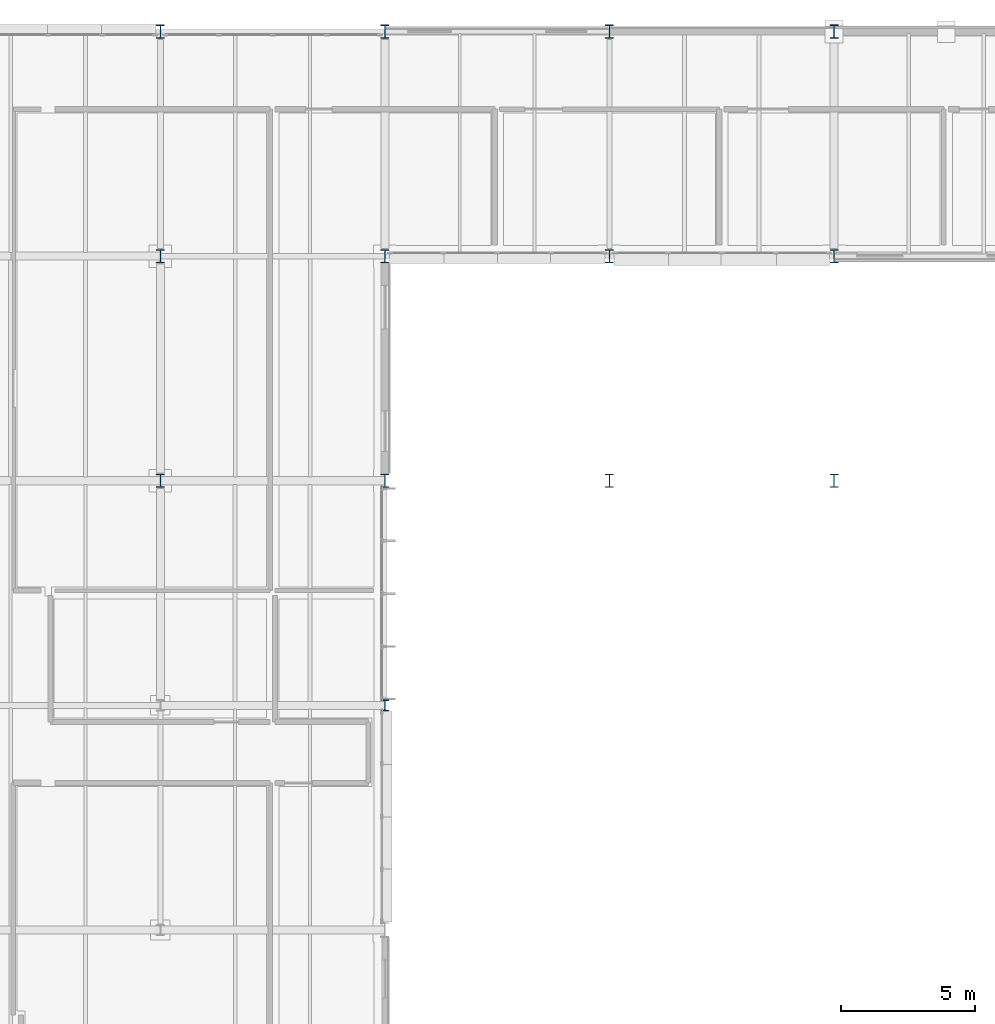
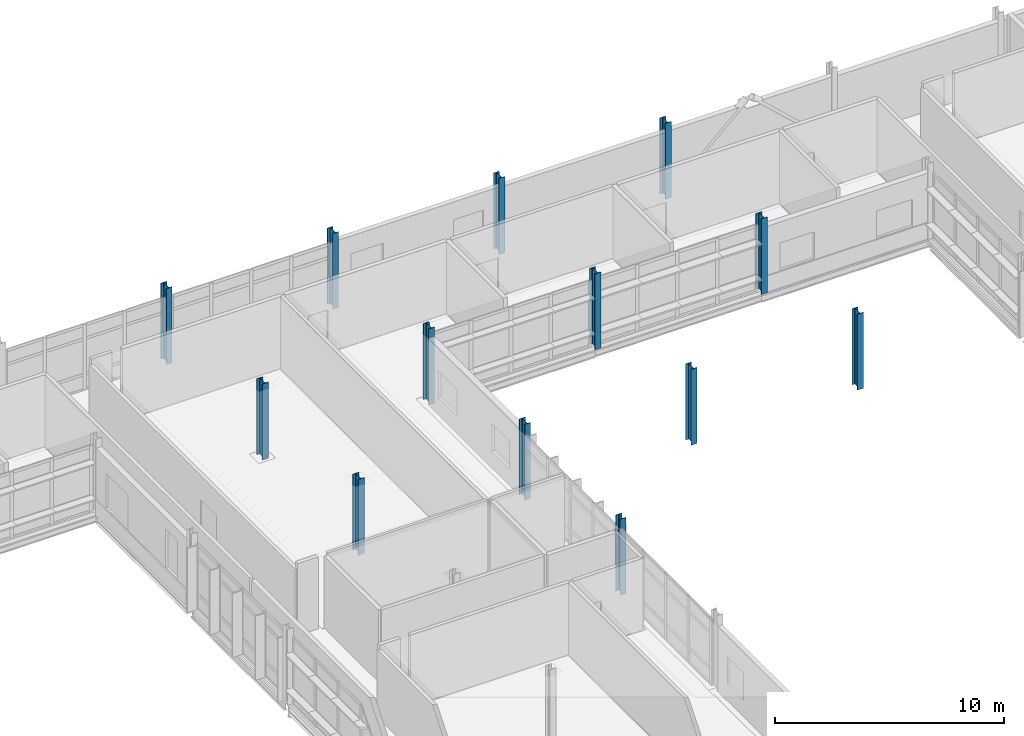
# One storey, part 10 of 151: 13 columns.
"""IFC4 building model written with IfcOpenShell, lengths in metres."""

import ifcopenshell
import ifcopenshell.guid

model = None  # the IFC model being written
_history = None  # IfcOwnerHistory: only IFC2X3 demands one
_inside = {}  # id of a spatial element -> (the spatial element, [elements in it])
_under = {}  # id of a project, library or spatial element -> (it, [spatial elements below it])
_declared = {}  # id of a project -> (the project, [libraries it declares])
_typed = {}  # id of a type object -> (the type object, [elements of that type])
_made_of = {}  # id of a material, layer set ... -> (it, [elements and type objects made of it])


def new_model(schema):
    """Start an empty IFC model of exactly this schema.

    Asked for "IFC4X3", IfcOpenShell would pick the latest addendum, in which some entities
    have other attributes; the version numbers below select the first issue.
    IFC2X3 requires an IfcOwnerHistory on every rooted entity: one is made here for all.
    """
    global model, _history
    if schema == "IFC4X3":
        model = ifcopenshell.file(schema_version=(4, 3, 0, 0))
    else:
        model = ifcopenshell.file(schema=schema)
    _inside.clear()
    _under.clear()
    _declared.clear()
    _typed.clear()
    _made_of.clear()
    _history = None
    if model.schema == "IFC2X3":
        org = make("IfcOrganization", Name="unknown")
        user = make(
            "IfcPersonAndOrganization",
            ThePerson=make("IfcPerson", FamilyName="unknown"),
            TheOrganization=org,
        )
        app = make(
            "IfcApplication",
            ApplicationDeveloper=org,
            Version="unknown",
            ApplicationFullName="unknown",
            ApplicationIdentifier="unknown",
        )
        _history = make(
            "IfcOwnerHistory",
            OwningUser=user,
            OwningApplication=app,
            ChangeAction="ADDED",
            CreationDate=0,
        )
    return model


def make(cls, **values):
    """One entity of the class cls with the attributes given. An attribute that is None is left unset."""
    return model.create_entity(
        cls, **{name: value for name, value in values.items() if value is not None}
    )


def rooted(cls, **values):
    """An entity with a GlobalId (a new one), such as an element, a storey or a relation."""
    return make(cls, GlobalId=ifcopenshell.guid.new(), OwnerHistory=_history, **values)


def si_unit(unit_type, name, prefix=None):
    """IfcSIUnit, for example si_unit("LENGTHUNIT", "METRE", prefix="MILLI")."""
    return make("IfcSIUnit", UnitType=unit_type, Prefix=prefix, Name=name)


def assignment(units):
    """IfcUnitAssignment: the units of a project."""
    return None if units is None else make("IfcUnitAssignment", Units=units)


def point(xyz):
    """IfcCartesianPoint."""
    return None if xyz is None else make("IfcCartesianPoint", Coordinates=xyz)


def direction(xyz):
    """IfcDirection."""
    return None if xyz is None else make("IfcDirection", DirectionRatios=xyz)


def frame(location, z_axis=None, x_axis=None):
    """IfcAxis2Placement3D, a coordinate frame: its origin and axes. An axis left out is left unset."""
    return make(
        "IfcAxis2Placement3D",
        Location=point(location),
        Axis=direction(z_axis),
        RefDirection=direction(x_axis),
    )


def frame_2d(location, x_axis=None):
    """IfcAxis2Placement2D, a coordinate frame in the plane: its origin and x axis."""
    return make(
        "IfcAxis2Placement2D", Location=point(location), RefDirection=direction(x_axis)
    )


def origin():
    """The frame at (0, 0, 0) with its axes left unset."""
    return frame((0.0, 0.0, 0.0))


def origin_2d():
    """The frame at (0, 0) in the plane with its x axis left unset."""
    return frame_2d((0.0, 0.0))


def place(relative_to, where):
    """IfcLocalPlacement: puts the frame where relative to a parent placement (None: the world)."""
    return make(
        "IfcLocalPlacement", PlacementRelTo=relative_to, RelativePlacement=where
    )


def context(
    kind, dimensions, precision=None, world=None, true_north=None, identifier=None
):
    """IfcGeometricRepresentationContext, for example the 3D "Model" context."""
    return make(
        "IfcGeometricRepresentationContext",
        ContextIdentifier=identifier,
        ContextType=kind,
        CoordinateSpaceDimension=dimensions,
        Precision=precision,
        WorldCoordinateSystem=world,
        TrueNorth=true_north,
    )


def subcontext(parent, identifier, kind, view, scale=None):
    """IfcGeometricRepresentationSubContext, for example "Body" below "Model"."""
    return make(
        "IfcGeometricRepresentationSubContext",
        ContextIdentifier=identifier,
        ContextType=kind,
        ParentContext=parent,
        TargetScale=scale,
        TargetView=view,
    )


def project(units=None, contexts=None):
    """IfcProject with its units and contexts."""
    return rooted(
        "IfcProject",
        Name="project",
        RepresentationContexts=contexts,
        UnitsInContext=assignment(units),
    )


def spatial(cls, under=None, at=None, **own):
    """A site, building, storey or space (cls), placed at a placement, below another one or the project."""
    s = rooted(cls, ObjectPlacement=at, **own)
    if under is not None:
        _under.setdefault(under.id(), (under, []))[1].append(s)
    return s


def profile(cls, at=None, kind="AREA", **sizes):
    """A parametric profile (cls). Its sizes go by their IFC names, for example OverallWidth=200.0."""
    return make(cls, ProfileType=kind, Position=at, **sizes)


def i_section(**sizes):
    """IfcIShapeProfileDef."""
    return profile("IfcIShapeProfileDef", **sizes)


def extrude(swept, where, along, depth):
    """IfcExtrudedAreaSolid: the profile swept, set in the frame where, extruded along a direction by depth."""
    return make(
        "IfcExtrudedAreaSolid",
        SweptArea=swept,
        Position=where,
        ExtrudedDirection=direction(along),
        Depth=depth,
    )


def shape(context_of_items, identifier, shape_type, items):
    """IfcShapeRepresentation: the items that make up one representation, for example the "Body"."""
    return make(
        "IfcShapeRepresentation",
        ContextOfItems=context_of_items,
        RepresentationIdentifier=identifier,
        RepresentationType=shape_type,
        Items=items,
    )


def material(Name=None, Category=None):
    """IfcMaterial."""
    return make("IfcMaterial", Name=Name, Category=Category)


def material_profile(
    of_material, cross_section, Name=None, Category=None, Priority=None
):
    """IfcMaterialProfile: a cross section and its material."""
    return make(
        "IfcMaterialProfile",
        Name=Name,
        Material=of_material,
        Profile=cross_section,
        Priority=Priority,
        Category=Category,
    )


def profile_set(profiles, Name=None, composite=None):
    """IfcMaterialProfileSet."""
    return make(
        "IfcMaterialProfileSet",
        Name=Name,
        MaterialProfiles=profiles,
        CompositeProfile=composite,
    )


def made_of(thing, what):
    """Note that an element or type object is made of a material, layer set ...; save() writes the relation."""
    if what is not None:
        _made_of.setdefault(what.id(), (what, []))[1].append(thing)
    return thing


def type_object(cls, material=None, **own):
    """A type object (cls), such as IfcWallType, which elements share."""
    return made_of(rooted(cls, **own), material)


def element(
    cls,
    number,
    at=None,
    inside=None,
    cuts=None,
    type_object=None,
    material=None,
    context=None,
    identifier="Body",
    shape_type=None,
    held_by="IfcProductDefinitionShape",
    body=None,
    shapes=None,
    **own,
):
    """One element of the class cls, such as IfcWall. Its Tag is "e" and its number.

    at: its placement. inside: the storey or other place that contains it. cuts: it is an
    opening in that element (IfcRelVoidsElement). A single representation is given by context,
    identifier, shape_type and body (its items); several are given by shapes. held_by: the class
    of the entity that holds the representations. save() writes the other relations.
    """
    e = rooted(cls, Tag="e%d" % number, ObjectPlacement=at, **own)
    if body is not None:
        shapes = [shape(context, identifier, shape_type, body)]
    if shapes is not None:
        e.Representation = make(held_by, Representations=shapes)
    if inside is not None:
        _inside.setdefault(inside.id(), (inside, []))[1].append(e)
    if cuts is not None:
        rooted(
            "IfcRelVoidsElement", RelatingBuildingElement=cuts, RelatedOpeningElement=e
        )
    if type_object is not None:
        _typed.setdefault(type_object.id(), (type_object, []))[1].append(e)
    return made_of(e, material)


def aggregate(whole, parts):
    """IfcRelAggregates: a whole, such as a stair, and the parts it consists of."""
    return rooted("IfcRelAggregates", RelatingObject=whole, RelatedObjects=parts)


def save(model, path):
    """Write the relations noted so far, then the file.

    IfcRelAggregates (storeys below a building ...), IfcRelContainedInSpatialStructure (elements
    in a storey), IfcRelDefinesByType, IfcRelAssociatesMaterial and IfcRelDeclares: one each for
    every whole, place, type object, material and project.
    """
    for whole, parts in _under.values():
        aggregate(whole, parts)
    for where, things in _inside.values():
        rooted(
            "IfcRelContainedInSpatialStructure",
            RelatedElements=things,
            RelatingStructure=where,
        )
    for kind, things in _typed.values():
        rooted("IfcRelDefinesByType", RelatedObjects=things, RelatingType=kind)
    for what, things in _made_of.values():
        rooted("IfcRelAssociatesMaterial", RelatedObjects=things, RelatingMaterial=what)
    for by, libraries in _declared.values():
        rooted("IfcRelDeclares", RelatingContext=by, RelatedDefinitions=libraries)
    model.write(path)


model = new_model("IFC4")

# Units and contexts
model_context = context("Model", 3, precision=1e-05, world=origin(), true_north=direction((0.0, 1.0)))
body_context = subcontext(model_context, "Body", "Model", "MODEL_VIEW")
ifc_project = project(units=[si_unit("LENGTHUNIT", "METRE"), si_unit("AREAUNIT", "SQUARE_METRE"), si_unit("VOLUMEUNIT", "CUBIC_METRE"), si_unit("PLANEANGLEUNIT", "RADIAN"), si_unit("MASSUNIT", "GRAM", prefix="KILO")], contexts=[model_context])

# Site, building, storey
site_placement = place(None, origin())
site = spatial("IfcSite", under=ifc_project, at=site_placement, CompositionType="ELEMENT")
building_placement = place(site_placement, origin())
building = spatial("IfcBuilding", under=site, at=building_placement, Name="Mersafa Astral City Hall", CompositionType="ELEMENT")
storey_placement = place(building_placement, frame((0.0, 0.0, 9.89990234375)))
storey = spatial("IfcBuildingStorey", under=building, at=storey_placement, Name="L02", CompositionType="ELEMENT", Elevation=9.89990234375)

# Columns
ifc_material = material(Name="Steel S355", Category="steel")
ifc_material_profile_1 = material_profile(ifc_material, i_section(OverallWidth=0.300048828125, OverallDepth=0.39990234375, WebThickness=0.013427734375, FlangeThickness=0.02392578125, FilletRadius=0.027099609375, at=origin_2d()), Name="HEB 400")
ifc_profile_set_1 = profile_set([ifc_material_profile_1], Name="Steel S355")
column_type_1 = type_object("IfcColumnType", Name="STR-COL-HEB400", PredefinedType="COLUMN", material=ifc_profile_set_1)
column_placement = place(storey_placement, frame((117.60009765625, 100.800048828125, 0.0), z_axis=(0.0, 0.0, 1.0), x_axis=(1.0, 0.0, 0.0)))
element("IfcColumn", 1, at=column_placement, inside=storey, type_object=column_type_1, Name="L02 Structural column G-14-12", PredefinedType="COLUMN", context=body_context, shape_type="SweptSolid", body=[
    extrude(i_section(OverallWidth=0.300048828125, OverallDepth=0.39990234375, WebThickness=0.013427734375, FlangeThickness=0.02392578125, FilletRadius=0.027099609375, at=origin_2d()), origin(), (0.0, 0.0, 1.0), 4.050048828125),
])
ifc_material_profile_2 = material_profile(ifc_material, i_section(OverallWidth=0.300048828125, OverallDepth=0.5, WebThickness=0.014404296875, FlangeThickness=0.028076171875, FilletRadius=0.027099609375, at=origin_2d()), Name="HEB 500")
ifc_profile_set_2 = profile_set([ifc_material_profile_2], Name="Steel S355")
column_type_2 = type_object("IfcColumnType", Name="STR-COL-HEB500", PredefinedType="COLUMN", material=ifc_profile_set_2)
for number, where, z_axis, x_axis, name in (
    (2, (109.199951171875, 109.199951171875, 0.0), (0.0, 0.0, 1.0), (1.0, 0.0, 0.0), "L02 Structural column G-13-13"),
    (3, (109.199951171875, 117.60009765625, 0.0), (0.0, 0.0, 1.0), (1.0, 0.0, 0.0), "L02 Structural column G-13-14"),
    (4, (109.199951171875, 126.0, 0.0), (0.0, 0.0, 1.0), (1.0, 0.0, 0.0), "L02 Structural column G-13-15"),
    (5, (117.60009765625, 109.199951171875, 0.0), (0.0, 0.0, 1.0), (1.0, 0.0, 0.0), "L02 Structural column G-14-13"),
    (6, (117.60009765625, 117.60009765625, 0.0), (0.0, 0.0, 1.0), (1.0, 0.0, 0.0), "L02 Structural column G-14-14"),
    (7, (117.60009765625, 126.0, 0.0), (0.0, 0.0, 1.0), (1.0, 0.0, 0.0), "L02 Structural column G-14-15"),
    (8, (126.0, 109.199951171875, 0.0), (0.0, 0.0, 1.0), (1.0, 0.0, 0.0), "L02 Structural column G-15-13"),
    (9, (126.0, 117.60009765625, 0.0), (0.0, 0.0, 1.0), (1.0, 0.0, 0.0), "L02 Structural column G-15-14"),
    (10, (126.0, 126.0, 0.0), (0.0, 0.0, 1.0), (1.0, 0.0, 0.0), "L02 Structural column G-15-15"),
    (11, (134.39990234375, 109.199951171875, 0.0), (0.0, 0.0, 1.0), (1.0, 0.0, 0.0), "L02 Structural column G-16-13"),
    (12, (134.39990234375, 117.60009765625, 0.0), (0.0, 0.0, 1.0), (1.0, 0.0, 0.0), "L02 Structural column G-16-14"),
    (13, (134.39990234375, 126.0, 0.0), (0.0, 0.0, 1.0), (1.0, 0.0, 0.0), "L02 Structural column G-16-15"),
):
    element("IfcColumn", number, at=place(storey_placement, frame(where, z_axis=z_axis, x_axis=x_axis)), inside=storey, type_object=column_type_2, Name=name, PredefinedType="COLUMN", context=body_context, shape_type="SweptSolid", body=[
        extrude(i_section(OverallWidth=0.300048828125, OverallDepth=0.5, WebThickness=0.014404296875, FlangeThickness=0.028076171875, FilletRadius=0.027099609375, at=origin_2d()), origin(), (0.0, 0.0, 1.0), 4.050048828125),
    ])

save(model, "model.ifc")
